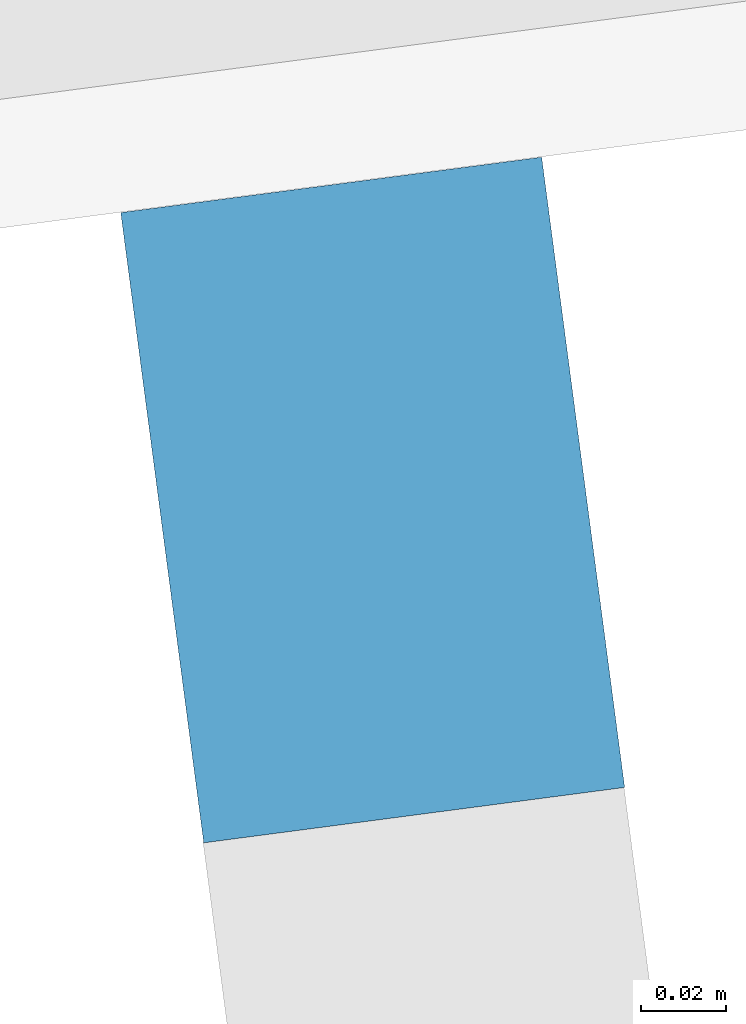
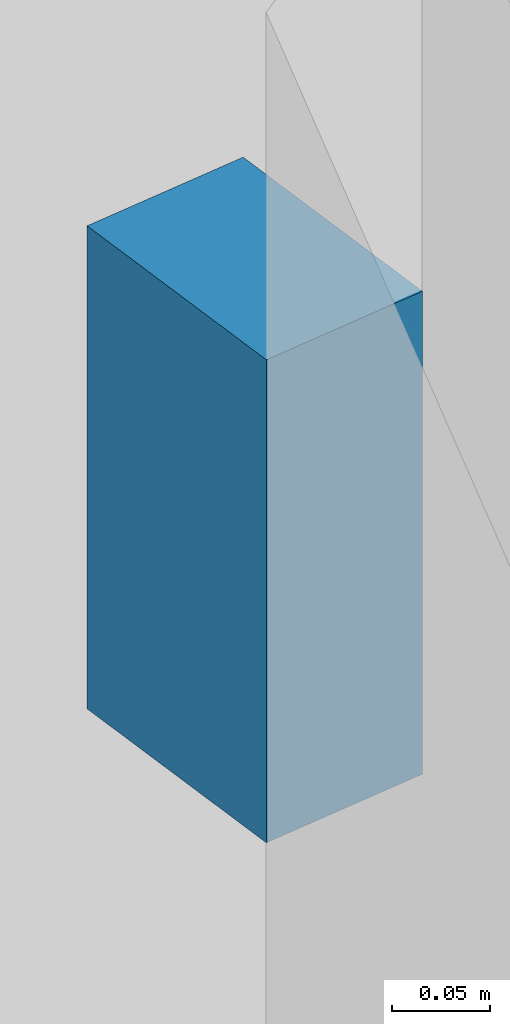
# One storey, part 10 of 32: 1 discrete accessory.
"""IFC4 building model written with IfcOpenShell, lengths in metres."""

from ifc_helpers import new_model, si_unit, direction, frame, origin, origin_2d, place, context, subcontext, project, spatial, rectangle, extrude, material, type_object, element, save


model = new_model("IFC4")

# Units and contexts
model_context = context("Model", 3, precision=1e-05, world=origin(), true_north=direction((0.0, 1.0)))
body_context = subcontext(model_context, "Body", "Model", "MODEL_VIEW")
ifc_project = project(units=[si_unit("LENGTHUNIT", "METRE"), si_unit("AREAUNIT", "SQUARE_METRE"), si_unit("VOLUMEUNIT", "CUBIC_METRE"), si_unit("PLANEANGLEUNIT", "RADIAN"), si_unit("MASSUNIT", "GRAM", prefix="KILO")], contexts=[model_context])

# Site, building, storey
site_placement = place(None, origin())
site = spatial("IfcSite", under=ifc_project, at=site_placement, CompositionType="ELEMENT")
building_placement = place(site_placement, origin())
building = spatial("IfcBuilding", under=site, at=building_placement, Name="Qamariyya Broadcast Tower", CompositionType="ELEMENT")
storey_placement = place(building_placement, frame((0.0, 0.0, 70.89990234375)))
storey = spatial("IfcBuildingStorey", under=building, at=storey_placement, Name="L14", CompositionType="ELEMENT", Elevation=70.89990234375)

# Discrete accessory
ifc_material = material(Name="Stainless steel 316", Category="steel")
discrete_accessory_type = type_object("IfcDiscreteAccessoryType", Name="Slab edge fixing angle, stainless steel", PredefinedType="BRACKET", material=ifc_material)
discrete_accessory_placement = place(storey_placement, frame((14.257568359375, -78.364013671875, 3.30029296875), z_axis=(0.0, 0.0, 1.0), x_axis=(0.991444861374, 0.13052619222, 0.0)))
element("IfcDiscreteAccessory", 1, at=discrete_accessory_placement, inside=storey, type_object=discrete_accessory_type, Name="e-br-L14-09-0", PredefinedType="BRACKET", context=body_context, shape_type="SweptSolid", body=[
    extrude(rectangle(XDim=0.10009765625, YDim=0.14990234375, at=origin_2d()), origin(), (0.0, 0.0, 1.0), 0.300048828125),
])

save(model, "model.ifc")
